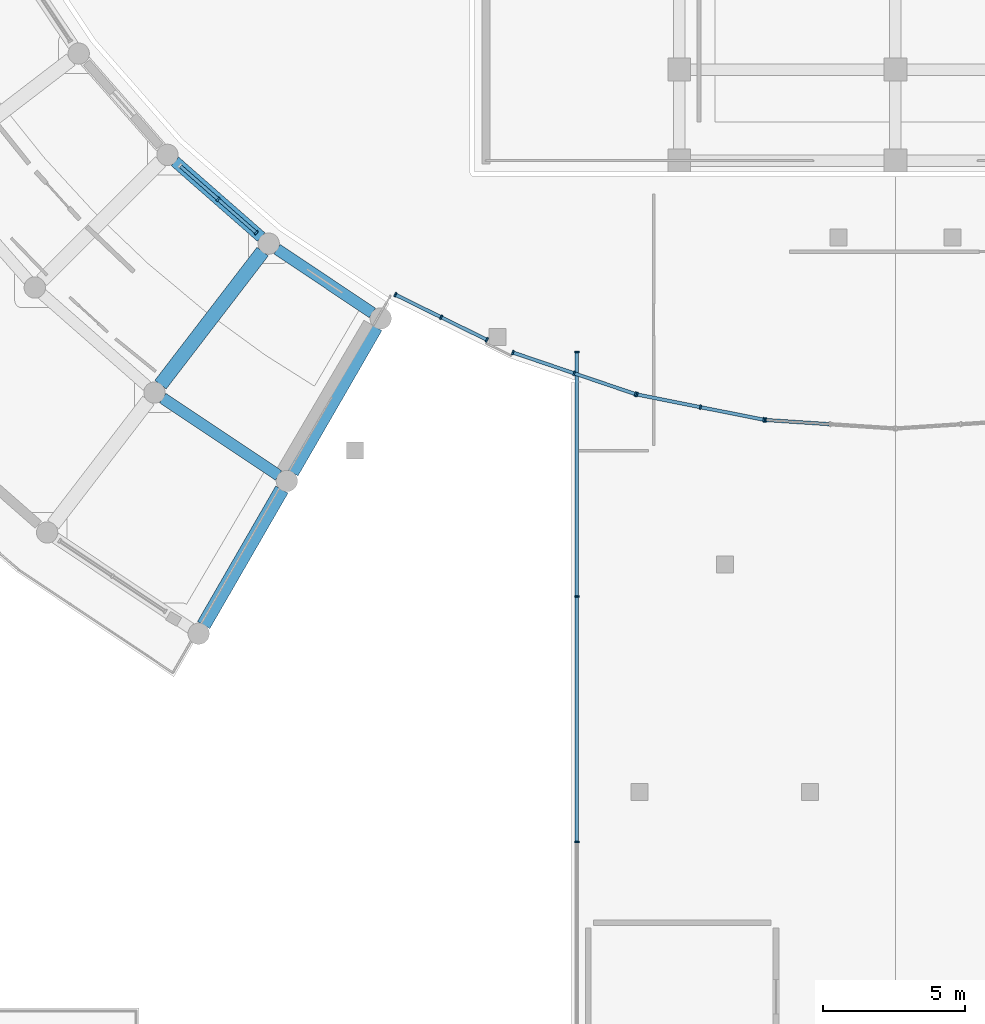
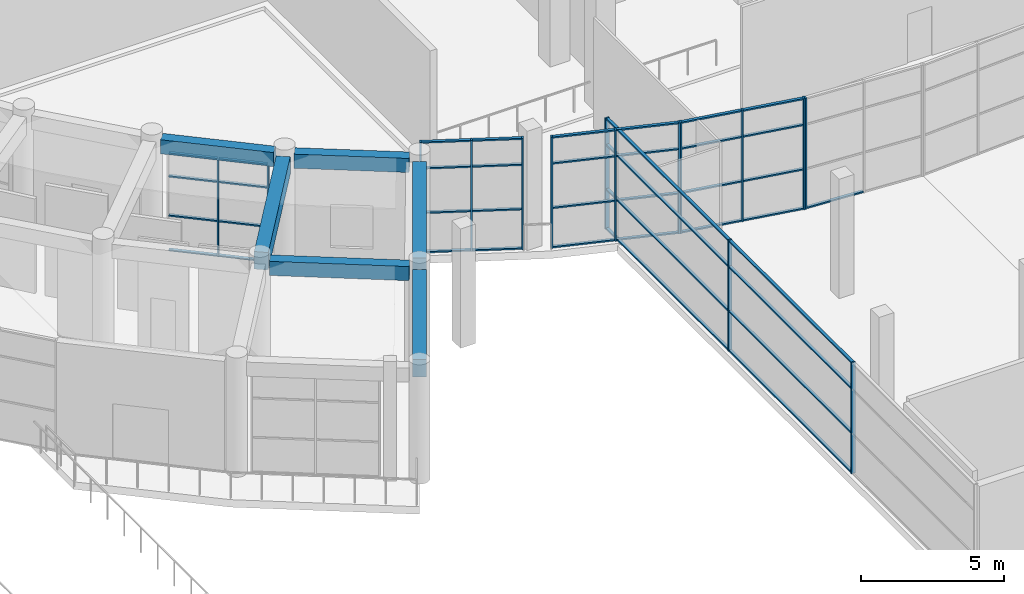
# One storey, part 23 of 99: 56 members, 6 beams, 6 elements without a shape of their own.
"""IFC4 building model written with IfcOpenShell, lengths in metres."""

from ifc_helpers import new_model, si_unit, direction, frame, origin, origin_2d, place, context, subcontext, project, spatial, rectangle, extrude, material, material_profile, profile_set, type_object, element, aggregate, save


model = new_model("IFC4")

# Units and contexts
model_context = context("Model", 3, precision=1e-05, world=origin(), true_north=direction((0.0, 1.0)))
body_context = subcontext(model_context, "Body", "Model", "MODEL_VIEW")
ifc_project = project(units=[si_unit("LENGTHUNIT", "METRE"), si_unit("AREAUNIT", "SQUARE_METRE"), si_unit("VOLUMEUNIT", "CUBIC_METRE"), si_unit("PLANEANGLEUNIT", "RADIAN"), si_unit("MASSUNIT", "GRAM", prefix="KILO")], contexts=[model_context])

# Site, building, storey
site_placement = place(None, origin())
site = spatial("IfcSite", under=ifc_project, at=site_placement, CompositionType="ELEMENT")
building_placement = place(site_placement, origin())
building = spatial("IfcBuilding", under=site, at=building_placement, Name="Saryqyr Civic Hall", CompositionType="ELEMENT")
storey_placement = place(building_placement, origin())
storey = spatial("IfcBuildingStorey", under=building, at=storey_placement, Name="L00", CompositionType="ELEMENT", Elevation=0.0)

# Curtain wall, members
ifc_material_1 = material(Name="Anodised aluminium and triple low-E glass", Category="aluminium")
curtain_wall_type_1 = type_object("IfcCurtainWallType", Name="ENV-CW-STD-11", PredefinedType="NOTDEFINED", material=ifc_material_1)
curtain_wall_1_placement = place(storey_placement, origin())
curtain_wall_1 = element("IfcCurtainWall", 1, at=curtain_wall_1_placement, inside=storey, type_object=curtain_wall_type_1, Name="Curtain wall V4-CWI-L00-08", PredefinedType="NOTDEFINED")
ifc_material_2 = material(Name="Anodised aluminium", Category="aluminium")
ifc_material_profile_1 = material_profile(ifc_material_2, rectangle(XDim=0.06005859375, YDim=0.159912109375, at=origin_2d()), Name="ALU MULLION 60x160")
ifc_profile_set_1 = profile_set([ifc_material_profile_1], Name="Anodised aluminium")
member_type_1 = type_object("IfcMemberType", Name="ENV-CW-MUL-180", PredefinedType="MULLION", material=ifc_profile_set_1)
member_1_placement = place(storey_placement, frame((33.182861328125, 56.841552734375, 0.0), z_axis=(0.0, 0.0, 1.0), x_axis=(0.751830721195, -0.659356175878, 0.0)))
member_1 = element("IfcMember", 2, at=member_1_placement, type_object=member_type_1, Name="CW-11 mullion 2", PredefinedType="MULLION", context=body_context, shape_type="SweptSolid", body=[
    extrude(rectangle(XDim=0.06005859375, YDim=0.159912109375, at=origin_2d()), origin(), (0.0, 0.0, 1.0), 4.195068359375),
])
member_2_placement = place(storey_placement, frame((34.525146484375, 55.664306640625, 0.0), z_axis=(0.0, 0.0, 1.0), x_axis=(0.751830721195, -0.659356175878, 0.0)))
member_2 = element("IfcMember", 3, at=member_2_placement, type_object=member_type_1, Name="CW-11 mullion 3", PredefinedType="MULLION", context=body_context, shape_type="SweptSolid", body=[
    extrude(rectangle(XDim=0.06005859375, YDim=0.159912109375, at=origin_2d()), origin(), (0.0, 0.0, 1.0), 4.195068359375),
])

curtain_wall_type_2 = type_object("IfcCurtainWallType", Name="ENV-CW-STD-63", PredefinedType="NOTDEFINED", material=ifc_material_1)
curtain_wall_2_placement = place(storey_placement, origin())
curtain_wall_2 = element("IfcCurtainWall", 4, at=curtain_wall_2_placement, inside=storey, type_object=curtain_wall_type_2, Name="Curtain wall V2-VESTFLK-SW-L00", PredefinedType="NOTDEFINED")
member_3_placement = place(storey_placement, frame((45.800048828125, 34.239990234375, 0.0), z_axis=(0.0, 0.0, 1.0), x_axis=(0.0, 1.0, 0.0)))
member_3 = element("IfcMember", 5, at=member_3_placement, type_object=member_type_1, Name="CW-63 mullion 2", PredefinedType="MULLION", context=body_context, shape_type="SweptSolid", body=[
    extrude(rectangle(XDim=0.06005859375, YDim=0.159912109375, at=origin_2d()), origin(), (0.0, 0.0, 1.0), 4.75),
])
member_4_placement = place(storey_placement, frame((45.800048828125, 42.8701171875, 0.0), z_axis=(0.0, 0.0, 1.0), x_axis=(0.0, 1.0, 0.0)))
member_4 = element("IfcMember", 6, at=member_4_placement, type_object=member_type_1, Name="CW-63 mullion 3", PredefinedType="MULLION", context=body_context, shape_type="SweptSolid", body=[
    extrude(rectangle(XDim=0.06005859375, YDim=0.159912109375, at=origin_2d()), origin(), (0.0, 0.0, 1.0), 4.75),
])
member_5_placement = place(storey_placement, frame((45.800048828125, 51.469970703125, 0.0), z_axis=(0.0, 0.0, 1.0), x_axis=(0.0, 1.0, 0.0)))
member_5 = element("IfcMember", 7, at=member_5_placement, type_object=member_type_1, Name="CW-63 mullion 4", PredefinedType="MULLION", context=body_context, shape_type="SweptSolid", body=[
    extrude(rectangle(XDim=0.06005859375, YDim=0.159912109375, at=origin_2d()), origin(), (0.0, 0.0, 1.0), 4.75),
])

curtain_wall_type_3 = type_object("IfcCurtainWallType", Name="ENV-CW-STD-68", PredefinedType="NOTDEFINED", material=ifc_material_1)
curtain_wall_3_placement = place(storey_placement, origin())
curtain_wall_3 = element("IfcCurtainWall", 8, at=curtain_wall_3_placement, inside=storey, type_object=curtain_wall_type_3, Name="Curtain wall V2-PERIM-CW-L00-32", PredefinedType="NOTDEFINED")
member_6_placement = place(storey_placement, frame((42.633056640625, 51.899169921875, 0.0), z_axis=(0.0, 0.0, 1.0), x_axis=(-0.896871168654, 0.442291879687, 0.0)))
member_6 = element("IfcMember", 9, at=member_6_placement, type_object=member_type_1, Name="CW-68 mullion 1", PredefinedType="MULLION", context=body_context, shape_type="SweptSolid", body=[
    extrude(rectangle(XDim=0.06005859375, YDim=0.159912109375, at=origin_2d()), origin(), (0.0, 0.0, 1.0), 4.75),
])
member_7_placement = place(storey_placement, frame((41.02490234375, 52.6923828125, 0.0), z_axis=(0.0, 0.0, 1.0), x_axis=(-0.896871168654, 0.442291879687, 0.0)))
member_7 = element("IfcMember", 10, at=member_7_placement, type_object=member_type_1, Name="CW-68 mullion 2", PredefinedType="MULLION", context=body_context, shape_type="SweptSolid", body=[
    extrude(rectangle(XDim=0.06005859375, YDim=0.159912109375, at=origin_2d()), origin(), (0.0, 0.0, 1.0), 4.75),
])
member_8_placement = place(storey_placement, frame((39.4169921875, 53.4853515625, 0.0), z_axis=(0.0, 0.0, 1.0), x_axis=(-0.896871168654, 0.442291879687, 0.0)))
member_8 = element("IfcMember", 11, at=member_8_placement, type_object=member_type_1, Name="CW-68 mullion 3", PredefinedType="MULLION", context=body_context, shape_type="SweptSolid", body=[
    extrude(rectangle(XDim=0.06005859375, YDim=0.159912109375, at=origin_2d()), origin(), (0.0, 0.0, 1.0), 4.75),
])

curtain_wall_type_4 = type_object("IfcCurtainWallType", Name="ENV-CW-STD-67", PredefinedType="NOTDEFINED", material=ifc_material_1)
curtain_wall_4_placement = place(storey_placement, origin())
curtain_wall_4 = element("IfcCurtainWall", 12, at=curtain_wall_4_placement, inside=storey, type_object=curtain_wall_type_4, Name="Curtain wall V2-PERIM-CW-L00-33", PredefinedType="NOTDEFINED")
member_9_placement = place(storey_placement, frame((47.85595703125, 49.98974609375, 0.0), z_axis=(0.0, 0.0, 1.0), x_axis=(-0.946928094828, 0.321445459178, 0.0)))
member_9 = element("IfcMember", 13, at=member_9_placement, type_object=member_type_1, Name="CW-67 mullion 1", PredefinedType="MULLION", context=body_context, shape_type="SweptSolid", body=[
    extrude(rectangle(XDim=0.06005859375, YDim=0.159912109375, at=origin_2d()), origin(), (0.0, 0.0, 1.0), 4.75),
])
member_10_placement = place(storey_placement, frame((45.703125, 50.720458984375, 0.0), z_axis=(0.0, 0.0, 1.0), x_axis=(-0.946928094828, 0.321445459178, 0.0)))
member_10 = element("IfcMember", 14, at=member_10_placement, type_object=member_type_1, Name="CW-67 mullion 2", PredefinedType="MULLION", context=body_context, shape_type="SweptSolid", body=[
    extrude(rectangle(XDim=0.06005859375, YDim=0.159912109375, at=origin_2d()), origin(), (0.0, 0.0, 1.0), 4.75),
])
member_11_placement = place(storey_placement, frame((43.55029296875, 51.451416015625, 0.0), z_axis=(0.0, 0.0, 1.0), x_axis=(-0.946928094828, 0.321445459178, 0.0)))
member_11 = element("IfcMember", 15, at=member_11_placement, type_object=member_type_1, Name="CW-67 mullion 3", PredefinedType="MULLION", context=body_context, shape_type="SweptSolid", body=[
    extrude(rectangle(XDim=0.06005859375, YDim=0.159912109375, at=origin_2d()), origin(), (0.0, 0.0, 1.0), 4.75),
])

curtain_wall_5_placement = place(storey_placement, origin())
curtain_wall_5 = element("IfcCurtainWall", 16, at=curtain_wall_5_placement, inside=storey, type_object=curtain_wall_type_4, Name="Curtain wall V2-PERIM-CW-L00-34", PredefinedType="NOTDEFINED")
member_12_placement = place(storey_placement, frame((52.37353515625, 49.087158203125, 0.0), z_axis=(0.0, 0.0, 1.0), x_axis=(-0.980784679507, 0.195093342902, 0.0)))
member_12 = element("IfcMember", 17, at=member_12_placement, type_object=member_type_1, Name="CW-67 mullion 1", PredefinedType="MULLION", context=body_context, shape_type="SweptSolid", body=[
    extrude(rectangle(XDim=0.06005859375, YDim=0.159912109375, at=origin_2d()), origin(), (0.0, 0.0, 1.0), 4.75),
])
member_13_placement = place(storey_placement, frame((50.1435546875, 49.53076171875, 0.0), z_axis=(0.0, 0.0, 1.0), x_axis=(-0.980784679507, 0.195093342902, 0.0)))
member_13 = element("IfcMember", 18, at=member_13_placement, type_object=member_type_1, Name="CW-67 mullion 2", PredefinedType="MULLION", context=body_context, shape_type="SweptSolid", body=[
    extrude(rectangle(XDim=0.06005859375, YDim=0.159912109375, at=origin_2d()), origin(), (0.0, 0.0, 1.0), 4.75),
])
member_14_placement = place(storey_placement, frame((47.913818359375, 49.974365234375, 0.0), z_axis=(0.0, 0.0, 1.0), x_axis=(-0.980784679507, 0.195093342902, 0.0)))
member_14 = element("IfcMember", 19, at=member_14_placement, type_object=member_type_1, Name="CW-67 mullion 3", PredefinedType="MULLION", context=body_context, shape_type="SweptSolid", body=[
    extrude(rectangle(XDim=0.06005859375, YDim=0.159912109375, at=origin_2d()), origin(), (0.0, 0.0, 1.0), 4.75),
])

# Curtain wall, member
curtain_wall_6_placement = place(storey_placement, origin())
curtain_wall_6 = element("IfcCurtainWall", 20, at=curtain_wall_6_placement, inside=storey, type_object=curtain_wall_type_4, Name="Curtain wall V2-PERIM-CW-L00-35", PredefinedType="NOTDEFINED")
member_15_placement = place(storey_placement, frame((52.432861328125, 49.079345703125, 0.0), z_axis=(0.0, 0.0, 1.0), x_axis=(-0.997859062814, 0.065400999681, 0.0)))
member_15 = element("IfcMember", 21, at=member_15_placement, type_object=member_type_1, Name="CW-67 mullion 3", PredefinedType="MULLION", context=body_context, shape_type="SweptSolid", body=[
    extrude(rectangle(XDim=0.06005859375, YDim=0.159912109375, at=origin_2d()), origin(), (0.0, 0.0, 1.0), 4.75),
])

# Member
ifc_material_profile_2 = material_profile(ifc_material_2, rectangle(XDim=0.1201171875, YDim=0.06005859375, at=origin_2d()), Name="ALU TRANSOM 120x60")
ifc_profile_set_2 = profile_set([ifc_material_profile_2], Name="Anodised aluminium")
member_type_2 = type_object("IfcMemberType", Name="ENV-CW-TRN-150", PredefinedType="USERDEFINED", material=ifc_profile_set_2)
member_16_placement = place(storey_placement, frame((31.86279296875, 57.999267578125, 0.030029296875), z_axis=(0.751787411697, -0.659405556251, 0.0), x_axis=(0.659405556251, 0.751787411697, 0.0)))
member_16 = element("IfcMember", 22, at=member_16_placement, type_object=member_type_2, Name="CW-11 transom 1.1", ObjectType="TRANSOM", PredefinedType="USERDEFINED", context=body_context, shape_type="SweptSolid", body=[
    extrude(rectangle(XDim=0.1201171875, YDim=0.06005859375, at=origin_2d()), origin(), (0.0, 0.0, 1.0), 1.7255859375),
])

member_17_placement = place(storey_placement, frame((31.86279296875, 57.999267578125, 1.510009765625), z_axis=(0.751787411697, -0.659405556251, 0.0), x_axis=(0.659405556251, 0.751787411697, 0.0)))
member_17 = element("IfcMember", 23, at=member_17_placement, type_object=member_type_2, Name="CW-11 transom 1.2", ObjectType="TRANSOM", PredefinedType="USERDEFINED", context=body_context, shape_type="SweptSolid", body=[
    extrude(rectangle(XDim=0.1201171875, YDim=0.06005859375, at=origin_2d()), origin(), (0.0, 0.0, 1.0), 1.7255859375),
])

member_18_placement = place(storey_placement, frame((31.86279296875, 57.999267578125, 3.18798828125), z_axis=(0.751787411697, -0.659405556251, 0.0), x_axis=(0.659405556251, 0.751787411697, 0.0)))
member_18 = element("IfcMember", 24, at=member_18_placement, type_object=member_type_2, Name="CW-11 transom 1.3", ObjectType="TRANSOM", PredefinedType="USERDEFINED", context=body_context, shape_type="SweptSolid", body=[
    extrude(rectangle(XDim=0.1201171875, YDim=0.06005859375, at=origin_2d()), origin(), (0.0, 0.0, 1.0), 1.7255859375),
])

member_19_placement = place(storey_placement, frame((31.86279296875, 57.999267578125, 4.1650390625), z_axis=(0.751787411697, -0.659405556251, 0.0), x_axis=(0.659405556251, 0.751787411697, 0.0)))
member_19 = element("IfcMember", 25, at=member_19_placement, type_object=member_type_2, Name="CW-11 transom 1.4", ObjectType="TRANSOM", PredefinedType="USERDEFINED", context=body_context, shape_type="SweptSolid", body=[
    extrude(rectangle(XDim=0.1201171875, YDim=0.06005859375, at=origin_2d()), origin(), (0.0, 0.0, 1.0), 1.7255859375),
])

member_20_placement = place(storey_placement, frame((33.205322265625, 56.82177734375, 0.030029296875), z_axis=(0.751857546782, -0.659325586753, 0.0), x_axis=(0.659325586753, 0.751857546782, 0.0)))
member_20 = element("IfcMember", 26, at=member_20_placement, type_object=member_type_2, Name="CW-11 transom 2.1", ObjectType="TRANSOM", PredefinedType="USERDEFINED", context=body_context, shape_type="SweptSolid", body=[
    extrude(rectangle(XDim=0.1201171875, YDim=0.06005859375, at=origin_2d()), origin(), (0.0, 0.0, 1.0), 1.7255859375),
])

member_21_placement = place(storey_placement, frame((33.205322265625, 56.82177734375, 1.510009765625), z_axis=(0.751857546782, -0.659325586753, 0.0), x_axis=(0.659325586753, 0.751857546782, 0.0)))
member_21 = element("IfcMember", 27, at=member_21_placement, type_object=member_type_2, Name="CW-11 transom 2.2", ObjectType="TRANSOM", PredefinedType="USERDEFINED", context=body_context, shape_type="SweptSolid", body=[
    extrude(rectangle(XDim=0.1201171875, YDim=0.06005859375, at=origin_2d()), origin(), (0.0, 0.0, 1.0), 1.7255859375),
])

member_22_placement = place(storey_placement, frame((33.205322265625, 56.82177734375, 3.18798828125), z_axis=(0.751857546782, -0.659325586753, 0.0), x_axis=(0.659325586753, 0.751857546782, 0.0)))
member_22 = element("IfcMember", 28, at=member_22_placement, type_object=member_type_2, Name="CW-11 transom 2.3", ObjectType="TRANSOM", PredefinedType="USERDEFINED", context=body_context, shape_type="SweptSolid", body=[
    extrude(rectangle(XDim=0.1201171875, YDim=0.06005859375, at=origin_2d()), origin(), (0.0, 0.0, 1.0), 1.7255859375),
])

member_23_placement = place(storey_placement, frame((33.205322265625, 56.82177734375, 4.1650390625), z_axis=(0.751857546782, -0.659325586753, 0.0), x_axis=(0.659325586753, 0.751857546782, 0.0)))
member_23 = element("IfcMember", 29, at=member_23_placement, type_object=member_type_2, Name="CW-11 transom 2.4", ObjectType="TRANSOM", PredefinedType="USERDEFINED", context=body_context, shape_type="SweptSolid", body=[
    extrude(rectangle(XDim=0.1201171875, YDim=0.06005859375, at=origin_2d()), origin(), (0.0, 0.0, 1.0), 1.7255859375),
])

aggregate(curtain_wall_1, [member_1, member_2, member_16, member_17, member_18, member_19, member_20, member_21, member_22, member_23])

member_24_placement = place(storey_placement, frame((45.800048828125, 34.27001953125, 0.030029296875), z_axis=(0.0, 1.0, 0.0), x_axis=(-1.0, 0.0, 0.0)))
member_24 = element("IfcMember", 30, at=member_24_placement, type_object=member_type_2, Name="CW-63 transom 2.1", ObjectType="TRANSOM", PredefinedType="USERDEFINED", context=body_context, shape_type="SweptSolid", body=[
    extrude(rectangle(XDim=0.1201171875, YDim=0.06005859375, at=origin_2d()), origin(), (0.0, 0.0, 1.0), 8.570068359375),
])

member_25_placement = place(storey_placement, frame((45.800048828125, 34.27001953125, 1.7099609375), z_axis=(0.0, 1.0, 0.0), x_axis=(-1.0, 0.0, 0.0)))
member_25 = element("IfcMember", 31, at=member_25_placement, type_object=member_type_2, Name="CW-63 transom 2.2", ObjectType="TRANSOM", PredefinedType="USERDEFINED", context=body_context, shape_type="SweptSolid", body=[
    extrude(rectangle(XDim=0.1201171875, YDim=0.06005859375, at=origin_2d()), origin(), (0.0, 0.0, 1.0), 8.570068359375),
])

member_26_placement = place(storey_placement, frame((45.800048828125, 34.27001953125, 3.610107421875), z_axis=(0.0, 1.0, 0.0), x_axis=(-1.0, 0.0, 0.0)))
member_26 = element("IfcMember", 32, at=member_26_placement, type_object=member_type_2, Name="CW-63 transom 2.3", ObjectType="TRANSOM", PredefinedType="USERDEFINED", context=body_context, shape_type="SweptSolid", body=[
    extrude(rectangle(XDim=0.1201171875, YDim=0.06005859375, at=origin_2d()), origin(), (0.0, 0.0, 1.0), 8.570068359375),
])

member_27_placement = place(storey_placement, frame((45.800048828125, 34.27001953125, 4.719970703125), z_axis=(0.0, 1.0, 0.0), x_axis=(-1.0, 0.0, 0.0)))
member_27 = element("IfcMember", 33, at=member_27_placement, type_object=member_type_2, Name="CW-63 transom 2.4", ObjectType="TRANSOM", PredefinedType="USERDEFINED", context=body_context, shape_type="SweptSolid", body=[
    extrude(rectangle(XDim=0.1201171875, YDim=0.06005859375, at=origin_2d()), origin(), (0.0, 0.0, 1.0), 8.570068359375),
])

member_28_placement = place(storey_placement, frame((45.800048828125, 42.89990234375, 0.030029296875), z_axis=(0.0, 1.0, 0.0), x_axis=(-1.0, 0.0, 0.0)))
member_28 = element("IfcMember", 34, at=member_28_placement, type_object=member_type_2, Name="CW-63 transom 3.1", ObjectType="TRANSOM", PredefinedType="USERDEFINED", context=body_context, shape_type="SweptSolid", body=[
    extrude(rectangle(XDim=0.1201171875, YDim=0.06005859375, at=origin_2d()), origin(), (0.0, 0.0, 1.0), 8.5400390625),
])

member_29_placement = place(storey_placement, frame((45.800048828125, 42.89990234375, 1.7099609375), z_axis=(0.0, 1.0, 0.0), x_axis=(-1.0, 0.0, 0.0)))
member_29 = element("IfcMember", 35, at=member_29_placement, type_object=member_type_2, Name="CW-63 transom 3.2", ObjectType="TRANSOM", PredefinedType="USERDEFINED", context=body_context, shape_type="SweptSolid", body=[
    extrude(rectangle(XDim=0.1201171875, YDim=0.06005859375, at=origin_2d()), origin(), (0.0, 0.0, 1.0), 8.5400390625),
])

member_30_placement = place(storey_placement, frame((45.800048828125, 42.89990234375, 3.610107421875), z_axis=(0.0, 1.0, 0.0), x_axis=(-1.0, 0.0, 0.0)))
member_30 = element("IfcMember", 36, at=member_30_placement, type_object=member_type_2, Name="CW-63 transom 3.3", ObjectType="TRANSOM", PredefinedType="USERDEFINED", context=body_context, shape_type="SweptSolid", body=[
    extrude(rectangle(XDim=0.1201171875, YDim=0.06005859375, at=origin_2d()), origin(), (0.0, 0.0, 1.0), 8.5400390625),
])

member_31_placement = place(storey_placement, frame((45.800048828125, 42.89990234375, 4.719970703125), z_axis=(0.0, 1.0, 0.0), x_axis=(-1.0, 0.0, 0.0)))
member_31 = element("IfcMember", 37, at=member_31_placement, type_object=member_type_2, Name="CW-63 transom 3.4", ObjectType="TRANSOM", PredefinedType="USERDEFINED", context=body_context, shape_type="SweptSolid", body=[
    extrude(rectangle(XDim=0.1201171875, YDim=0.06005859375, at=origin_2d()), origin(), (0.0, 0.0, 1.0), 8.5400390625),
])

aggregate(curtain_wall_2, [member_3, member_4, member_5, member_24, member_25, member_26, member_27, member_28, member_29, member_30, member_31])

member_32_placement = place(storey_placement, frame((42.606201171875, 51.91259765625, 0.030029296875), z_axis=(-0.896893071271, 0.442247463198, 0.0), x_axis=(-0.442247463198, -0.896893071271, 0.0)))
member_32 = element("IfcMember", 38, at=member_32_placement, type_object=member_type_2, Name="CW-68 transom 1.1", ObjectType="TRANSOM", PredefinedType="USERDEFINED", context=body_context, shape_type="SweptSolid", body=[
    extrude(rectangle(XDim=0.1201171875, YDim=0.06005859375, at=origin_2d()), origin(), (0.0, 0.0, 1.0), 1.73291015625),
])

member_33_placement = place(storey_placement, frame((42.606201171875, 51.91259765625, 1.7099609375), z_axis=(-0.896893071271, 0.442247463198, 0.0), x_axis=(-0.442247463198, -0.896893071271, 0.0)))
member_33 = element("IfcMember", 39, at=member_33_placement, type_object=member_type_2, Name="CW-68 transom 1.2", ObjectType="TRANSOM", PredefinedType="USERDEFINED", context=body_context, shape_type="SweptSolid", body=[
    extrude(rectangle(XDim=0.1201171875, YDim=0.06005859375, at=origin_2d()), origin(), (0.0, 0.0, 1.0), 1.73291015625),
])

member_34_placement = place(storey_placement, frame((42.606201171875, 51.91259765625, 3.610107421875), z_axis=(-0.896893071271, 0.442247463198, 0.0), x_axis=(-0.442247463198, -0.896893071271, 0.0)))
member_34 = element("IfcMember", 40, at=member_34_placement, type_object=member_type_2, Name="CW-68 transom 1.3", ObjectType="TRANSOM", PredefinedType="USERDEFINED", context=body_context, shape_type="SweptSolid", body=[
    extrude(rectangle(XDim=0.1201171875, YDim=0.06005859375, at=origin_2d()), origin(), (0.0, 0.0, 1.0), 1.73291015625),
])

member_35_placement = place(storey_placement, frame((42.606201171875, 51.91259765625, 4.719970703125), z_axis=(-0.896893071271, 0.442247463198, 0.0), x_axis=(-0.442247463198, -0.896893071271, 0.0)))
member_35 = element("IfcMember", 41, at=member_35_placement, type_object=member_type_2, Name="CW-68 transom 1.4", ObjectType="TRANSOM", PredefinedType="USERDEFINED", context=body_context, shape_type="SweptSolid", body=[
    extrude(rectangle(XDim=0.1201171875, YDim=0.06005859375, at=origin_2d()), origin(), (0.0, 0.0, 1.0), 1.73291015625),
])

member_36_placement = place(storey_placement, frame((40.998046875, 52.70556640625, 0.030029296875), z_axis=(-0.89683718455, 0.442360785342, 0.0), x_axis=(-0.442360785342, -0.89683718455, 0.0)))
member_36 = element("IfcMember", 42, at=member_36_placement, type_object=member_type_2, Name="CW-68 transom 2.1", ObjectType="TRANSOM", PredefinedType="USERDEFINED", context=body_context, shape_type="SweptSolid", body=[
    extrude(rectangle(XDim=0.1201171875, YDim=0.06005859375, at=origin_2d()), origin(), (0.0, 0.0, 1.0), 1.73291015625),
])

member_37_placement = place(storey_placement, frame((40.998046875, 52.70556640625, 1.7099609375), z_axis=(-0.89683718455, 0.442360785342, 0.0), x_axis=(-0.442360785342, -0.89683718455, 0.0)))
member_37 = element("IfcMember", 43, at=member_37_placement, type_object=member_type_2, Name="CW-68 transom 2.2", ObjectType="TRANSOM", PredefinedType="USERDEFINED", context=body_context, shape_type="SweptSolid", body=[
    extrude(rectangle(XDim=0.1201171875, YDim=0.06005859375, at=origin_2d()), origin(), (0.0, 0.0, 1.0), 1.73291015625),
])

member_38_placement = place(storey_placement, frame((40.998046875, 52.70556640625, 3.610107421875), z_axis=(-0.89683718455, 0.442360785342, 0.0), x_axis=(-0.442360785342, -0.89683718455, 0.0)))
member_38 = element("IfcMember", 44, at=member_38_placement, type_object=member_type_2, Name="CW-68 transom 2.3", ObjectType="TRANSOM", PredefinedType="USERDEFINED", context=body_context, shape_type="SweptSolid", body=[
    extrude(rectangle(XDim=0.1201171875, YDim=0.06005859375, at=origin_2d()), origin(), (0.0, 0.0, 1.0), 1.73291015625),
])

member_39_placement = place(storey_placement, frame((40.998046875, 52.70556640625, 4.719970703125), z_axis=(-0.89683718455, 0.442360785342, 0.0), x_axis=(-0.442360785342, -0.89683718455, 0.0)))
member_39 = element("IfcMember", 45, at=member_39_placement, type_object=member_type_2, Name="CW-68 transom 2.4", ObjectType="TRANSOM", PredefinedType="USERDEFINED", context=body_context, shape_type="SweptSolid", body=[
    extrude(rectangle(XDim=0.1201171875, YDim=0.06005859375, at=origin_2d()), origin(), (0.0, 0.0, 1.0), 1.73291015625),
])

aggregate(curtain_wall_3, [member_6, member_7, member_8, member_32, member_33, member_34, member_35, member_36, member_37, member_38, member_39])

member_40_placement = place(storey_placement, frame((47.82763671875, 49.999267578125, 0.030029296875), z_axis=(-0.946915165682, 0.321483543904, 0.0), x_axis=(-0.321483543904, -0.946915165682, 0.0)))
member_40 = element("IfcMember", 46, at=member_40_placement, type_object=member_type_2, Name="CW-67 transom 1.1", ObjectType="TRANSOM", PredefinedType="USERDEFINED", context=body_context, shape_type="SweptSolid", body=[
    extrude(rectangle(XDim=0.1201171875, YDim=0.06005859375, at=origin_2d()), origin(), (0.0, 0.0, 1.0), 2.213623046875),
])

member_41_placement = place(storey_placement, frame((47.82763671875, 49.999267578125, 1.7099609375), z_axis=(-0.946915165682, 0.321483543904, 0.0), x_axis=(-0.321483543904, -0.946915165682, 0.0)))
member_41 = element("IfcMember", 47, at=member_41_placement, type_object=member_type_2, Name="CW-67 transom 1.2", ObjectType="TRANSOM", PredefinedType="USERDEFINED", context=body_context, shape_type="SweptSolid", body=[
    extrude(rectangle(XDim=0.1201171875, YDim=0.06005859375, at=origin_2d()), origin(), (0.0, 0.0, 1.0), 2.213623046875),
])

member_42_placement = place(storey_placement, frame((47.82763671875, 49.999267578125, 3.610107421875), z_axis=(-0.946915165682, 0.321483543904, 0.0), x_axis=(-0.321483543904, -0.946915165682, 0.0)))
member_42 = element("IfcMember", 48, at=member_42_placement, type_object=member_type_2, Name="CW-67 transom 1.3", ObjectType="TRANSOM", PredefinedType="USERDEFINED", context=body_context, shape_type="SweptSolid", body=[
    extrude(rectangle(XDim=0.1201171875, YDim=0.06005859375, at=origin_2d()), origin(), (0.0, 0.0, 1.0), 2.213623046875),
])

member_43_placement = place(storey_placement, frame((47.82763671875, 49.999267578125, 4.719970703125), z_axis=(-0.946915165682, 0.321483543904, 0.0), x_axis=(-0.321483543904, -0.946915165682, 0.0)))
member_43 = element("IfcMember", 49, at=member_43_placement, type_object=member_type_2, Name="CW-67 transom 1.4", ObjectType="TRANSOM", PredefinedType="USERDEFINED", context=body_context, shape_type="SweptSolid", body=[
    extrude(rectangle(XDim=0.1201171875, YDim=0.06005859375, at=origin_2d()), origin(), (0.0, 0.0, 1.0), 2.213623046875),
])

member_44_placement = place(storey_placement, frame((45.6748046875, 50.730224609375, 0.030029296875), z_axis=(-0.946948734697, 0.321384650933, 0.0), x_axis=(-0.321384650933, -0.946948734697, 0.0)))
member_44 = element("IfcMember", 50, at=member_44_placement, type_object=member_type_2, Name="CW-67 transom 2.1", ObjectType="TRANSOM", PredefinedType="USERDEFINED", context=body_context, shape_type="SweptSolid", body=[
    extrude(rectangle(XDim=0.1201171875, YDim=0.06005859375, at=origin_2d()), origin(), (0.0, 0.0, 1.0), 2.213623046875),
])

member_45_placement = place(storey_placement, frame((45.6748046875, 50.730224609375, 1.7099609375), z_axis=(-0.946948734697, 0.321384650933, 0.0), x_axis=(-0.321384650933, -0.946948734697, 0.0)))
member_45 = element("IfcMember", 51, at=member_45_placement, type_object=member_type_2, Name="CW-67 transom 2.2", ObjectType="TRANSOM", PredefinedType="USERDEFINED", context=body_context, shape_type="SweptSolid", body=[
    extrude(rectangle(XDim=0.1201171875, YDim=0.06005859375, at=origin_2d()), origin(), (0.0, 0.0, 1.0), 2.213623046875),
])

member_46_placement = place(storey_placement, frame((45.6748046875, 50.730224609375, 3.610107421875), z_axis=(-0.946948734697, 0.321384650933, 0.0), x_axis=(-0.321384650933, -0.946948734697, 0.0)))
member_46 = element("IfcMember", 52, at=member_46_placement, type_object=member_type_2, Name="CW-67 transom 2.3", ObjectType="TRANSOM", PredefinedType="USERDEFINED", context=body_context, shape_type="SweptSolid", body=[
    extrude(rectangle(XDim=0.1201171875, YDim=0.06005859375, at=origin_2d()), origin(), (0.0, 0.0, 1.0), 2.213623046875),
])

member_47_placement = place(storey_placement, frame((45.6748046875, 50.730224609375, 4.719970703125), z_axis=(-0.946948734697, 0.321384650933, 0.0), x_axis=(-0.321384650933, -0.946948734697, 0.0)))
member_47 = element("IfcMember", 53, at=member_47_placement, type_object=member_type_2, Name="CW-67 transom 2.4", ObjectType="TRANSOM", PredefinedType="USERDEFINED", context=body_context, shape_type="SweptSolid", body=[
    extrude(rectangle(XDim=0.1201171875, YDim=0.06005859375, at=origin_2d()), origin(), (0.0, 0.0, 1.0), 2.213623046875),
])

aggregate(curtain_wall_4, [member_9, member_10, member_11, member_40, member_41, member_42, member_43, member_44, member_45, member_46, member_47])

member_48_placement = place(storey_placement, frame((52.343994140625, 49.093017578125, 0.030029296875), z_axis=(-0.980779555737, 0.195119099651, 0.0), x_axis=(-0.195119099651, -0.980779555737, 0.0)))
member_48 = element("IfcMember", 54, at=member_48_placement, type_object=member_type_2, Name="CW-67 transom 1.1", ObjectType="TRANSOM", PredefinedType="USERDEFINED", context=body_context, shape_type="SweptSolid", body=[
    extrude(rectangle(XDim=0.1201171875, YDim=0.06005859375, at=origin_2d()), origin(), (0.0, 0.0, 1.0), 2.21337890625),
])

member_49_placement = place(storey_placement, frame((52.343994140625, 49.093017578125, 1.7099609375), z_axis=(-0.980779555737, 0.195119099651, 0.0), x_axis=(-0.195119099651, -0.980779555737, 0.0)))
member_49 = element("IfcMember", 55, at=member_49_placement, type_object=member_type_2, Name="CW-67 transom 1.2", ObjectType="TRANSOM", PredefinedType="USERDEFINED", context=body_context, shape_type="SweptSolid", body=[
    extrude(rectangle(XDim=0.1201171875, YDim=0.06005859375, at=origin_2d()), origin(), (0.0, 0.0, 1.0), 2.21337890625),
])

member_50_placement = place(storey_placement, frame((52.343994140625, 49.093017578125, 3.610107421875), z_axis=(-0.980779555737, 0.195119099651, 0.0), x_axis=(-0.195119099651, -0.980779555737, 0.0)))
member_50 = element("IfcMember", 56, at=member_50_placement, type_object=member_type_2, Name="CW-67 transom 1.3", ObjectType="TRANSOM", PredefinedType="USERDEFINED", context=body_context, shape_type="SweptSolid", body=[
    extrude(rectangle(XDim=0.1201171875, YDim=0.06005859375, at=origin_2d()), origin(), (0.0, 0.0, 1.0), 2.21337890625),
])

member_51_placement = place(storey_placement, frame((52.343994140625, 49.093017578125, 4.719970703125), z_axis=(-0.980779555737, 0.195119099651, 0.0), x_axis=(-0.195119099651, -0.980779555737, 0.0)))
member_51 = element("IfcMember", 57, at=member_51_placement, type_object=member_type_2, Name="CW-67 transom 1.4", ObjectType="TRANSOM", PredefinedType="USERDEFINED", context=body_context, shape_type="SweptSolid", body=[
    extrude(rectangle(XDim=0.1201171875, YDim=0.06005859375, at=origin_2d()), origin(), (0.0, 0.0, 1.0), 2.21337890625),
])

member_52_placement = place(storey_placement, frame((50.1142578125, 49.53662109375, 0.030029296875), z_axis=(-0.980779555737, 0.195119099651, 0.0), x_axis=(-0.195119099651, -0.980779555737, 0.0)))
member_52 = element("IfcMember", 58, at=member_52_placement, type_object=member_type_2, Name="CW-67 transom 2.1", ObjectType="TRANSOM", PredefinedType="USERDEFINED", context=body_context, shape_type="SweptSolid", body=[
    extrude(rectangle(XDim=0.1201171875, YDim=0.06005859375, at=origin_2d()), origin(), (0.0, 0.0, 1.0), 2.21337890625),
])

member_53_placement = place(storey_placement, frame((50.1142578125, 49.53662109375, 1.7099609375), z_axis=(-0.980779555737, 0.195119099651, 0.0), x_axis=(-0.195119099651, -0.980779555737, 0.0)))
member_53 = element("IfcMember", 59, at=member_53_placement, type_object=member_type_2, Name="CW-67 transom 2.2", ObjectType="TRANSOM", PredefinedType="USERDEFINED", context=body_context, shape_type="SweptSolid", body=[
    extrude(rectangle(XDim=0.1201171875, YDim=0.06005859375, at=origin_2d()), origin(), (0.0, 0.0, 1.0), 2.21337890625),
])

member_54_placement = place(storey_placement, frame((50.1142578125, 49.53662109375, 3.610107421875), z_axis=(-0.980779555737, 0.195119099651, 0.0), x_axis=(-0.195119099651, -0.980779555737, 0.0)))
member_54 = element("IfcMember", 60, at=member_54_placement, type_object=member_type_2, Name="CW-67 transom 2.3", ObjectType="TRANSOM", PredefinedType="USERDEFINED", context=body_context, shape_type="SweptSolid", body=[
    extrude(rectangle(XDim=0.1201171875, YDim=0.06005859375, at=origin_2d()), origin(), (0.0, 0.0, 1.0), 2.21337890625),
])

member_55_placement = place(storey_placement, frame((50.1142578125, 49.53662109375, 4.719970703125), z_axis=(-0.980779555737, 0.195119099651, 0.0), x_axis=(-0.195119099651, -0.980779555737, 0.0)))
member_55 = element("IfcMember", 61, at=member_55_placement, type_object=member_type_2, Name="CW-67 transom 2.4", ObjectType="TRANSOM", PredefinedType="USERDEFINED", context=body_context, shape_type="SweptSolid", body=[
    extrude(rectangle(XDim=0.1201171875, YDim=0.06005859375, at=origin_2d()), origin(), (0.0, 0.0, 1.0), 2.21337890625),
])

aggregate(curtain_wall_5, [member_12, member_13, member_14, member_48, member_49, member_50, member_51, member_52, member_53, member_54, member_55])

member_56_placement = place(storey_placement, frame((54.671630859375, 48.9326171875, 0.030029296875), z_axis=(-0.997858719579, 0.0654062364, 0.0), x_axis=(-0.0654062364, -0.997858719579, 0.0)))
member_56 = element("IfcMember", 62, at=member_56_placement, type_object=member_type_2, Name="CW-67 transom 2.1", ObjectType="TRANSOM", PredefinedType="USERDEFINED", context=body_context, shape_type="SweptSolid", body=[
    extrude(rectangle(XDim=0.1201171875, YDim=0.06005859375, at=origin_2d()), origin(), (0.0, 0.0, 1.0), 2.21337890625),
])

aggregate(curtain_wall_6, [member_15, member_56])

# Beams
ifc_material_3 = material(Name="Concrete C35/45", Category="concrete")
ifc_material_profile_3 = material_profile(ifc_material_3, rectangle(XDim=0.39990234375, YDim=0.60009765625, at=origin_2d()), Name="RC 400x600")
ifc_profile_set_3 = profile_set([ifc_material_profile_3], Name="Concrete C35/45")
beam_type_1 = type_object("IfcBeamType", Name="STR-BM-RC400x600", PredefinedType="BEAM", material=ifc_profile_set_3)
beam_1_placement = place(storey_placement, frame((31.236083984375, 49.85009765625, 4.52001953125), z_axis=(0.831474774382, -0.555562507345, 0.0), x_axis=(0.555562507345, 0.831474774382, 0.0)))
element("IfcBeam", 63, at=beam_1_placement, inside=storey, type_object=beam_type_1, Name="Beam V4-CBM-MID09-L00", PredefinedType="BEAM", context=body_context, shape_type="SweptSolid", body=[
    extrude(rectangle(XDim=0.39990234375, YDim=0.60009765625, at=origin_2d()), origin(), (0.0, 0.0, 1.0), 4.8984375),
])
ifc_material_profile_4 = material_profile(ifc_material_3, rectangle(XDim=0.39990234375, YDim=0.60009765625, at=origin_2d()), Name="RC 400x600")
ifc_profile_set_4 = profile_set([ifc_material_profile_4], Name="Concrete C35/45")
beam_type_2 = type_object("IfcBeamType", Name="STR-BM-RC400x600-EXT", PredefinedType="BEAM", material=ifc_profile_set_4)
for number, where, z_axis, x_axis, name in (
    (64, (31.665771484375, 58.171875, 4.52001953125), (0.751875393102, -0.659305235265, 0.0), (0.659305235265, 0.751875393102, 0.0), "Beam V4-CBM-IN08-L00"),
    (65, (35.25390625, 55.086181640625, 4.52001953125), (0.831444760257, -0.555607424934, 0.0), (0.555607424934, 0.831444760257, 0.0), "Beam V4-CBM-IN09-L00"),
):
    element("IfcBeam", number, at=place(storey_placement, frame(where, z_axis=z_axis, x_axis=x_axis)), inside=storey, type_object=beam_type_2, Name=name, PredefinedType="BEAM", context=body_context, shape_type="SweptSolid", body=[
        extrude(rectangle(XDim=0.39990234375, YDim=0.60009765625, at=origin_2d()), origin(), (0.0, 0.0, 1.0), 4.03515625),
    ])
ifc_material_4 = material(Name="Concrete C40/50", Category="concrete")
ifc_material_profile_5 = material_profile(ifc_material_4, rectangle(XDim=0.5, YDim=0.75, at=origin_2d()), Name="RC 500x750")
ifc_profile_set_5 = profile_set([ifc_material_profile_5], Name="Concrete C40/50")
beam_type_3 = type_object("IfcBeamType", Name="STR-BM-RC500x750", PredefinedType="BEAM", material=ifc_profile_set_5)
for number, where, z_axis, x_axis, name in (
    (66, (34.749755859375, 55.0029296875, 4.445068359375), (-0.60875640184, -0.793357197748, 0.0), (0.793357197748, -0.60875640184, 0.0), "Beam V4-RBM-A09-L00"),
    (67, (38.72509765625, 52.3466796875, 4.445068359375), (-0.500037662692, -0.866003658127, 0.0), (0.866003658127, -0.500037662692, 0.0), "Beam V4-RBM-A10-L00"),
):
    element("IfcBeam", number, at=place(storey_placement, frame(where, z_axis=z_axis, x_axis=x_axis)), inside=storey, type_object=beam_type_3, Name=name, PredefinedType="BEAM", context=body_context, shape_type="SweptSolid", body=[
        extrude(rectangle(XDim=0.5, YDim=0.75, at=origin_2d()), origin(), (0.0, 0.0, 1.0), 5.89990234375),
    ])
beam_2_placement = place(storey_placement, frame((35.425048828125, 46.631103515625, 4.445068359375), z_axis=(-0.499996545922, -0.866027397988, 0.0), x_axis=(0.866027397988, -0.499996545922, 0.0)))
element("IfcBeam", 68, at=beam_2_placement, inside=storey, type_object=beam_type_3, Name="Beam V4-RBM-B10-L00", PredefinedType="BEAM", context=body_context, shape_type="SweptSolid", body=[
    extrude(rectangle(XDim=0.5, YDim=0.75, at=origin_2d()), origin(), (0.0, 0.0, 1.0), 5.5),
])

save(model, "model.ifc")
